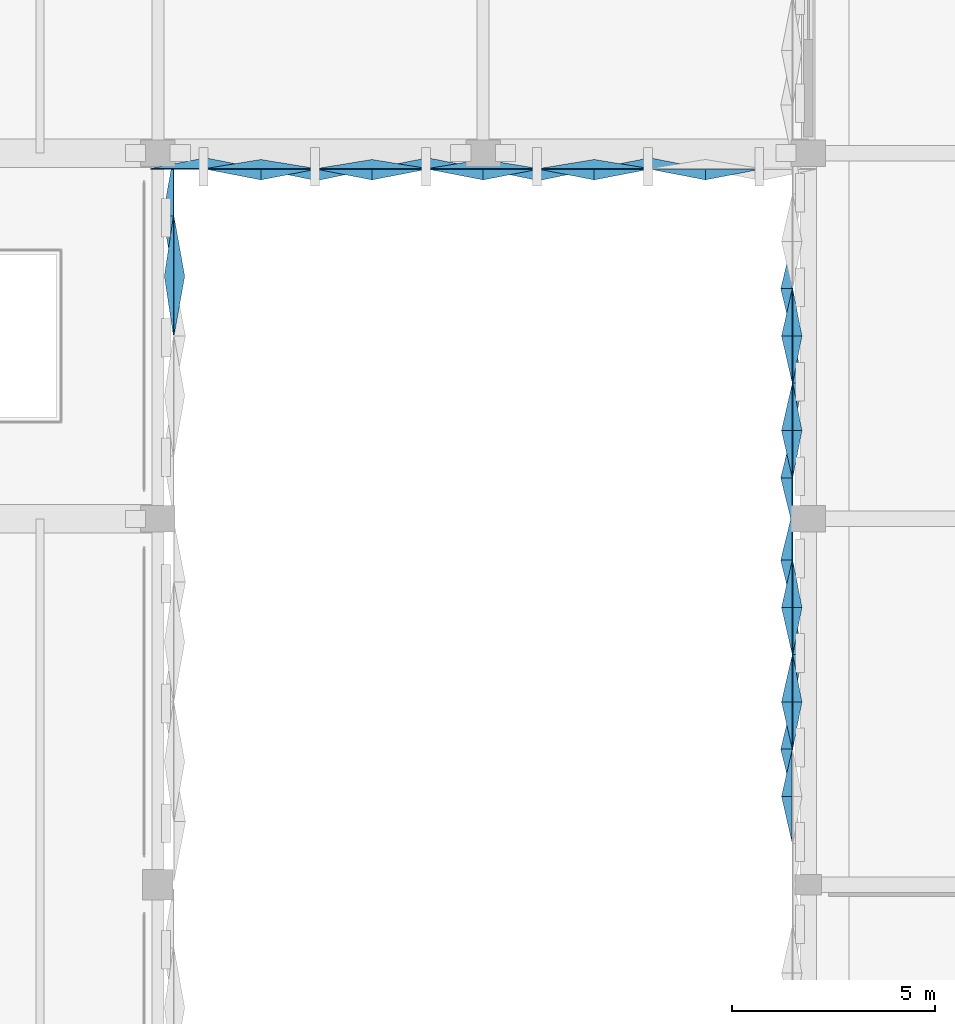
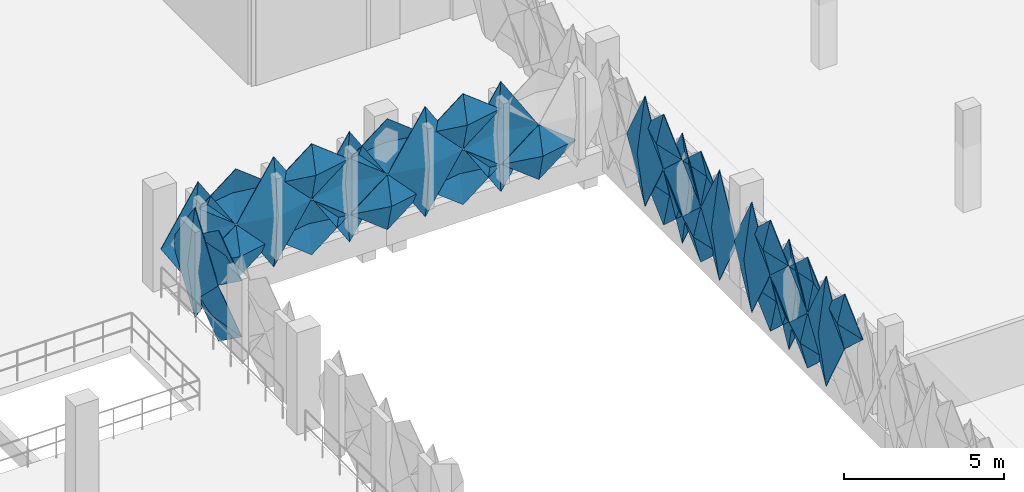
# One storey, part 64 of 83: 32 plates.
"""IFC4 building model written with IfcOpenShell, lengths in metres."""

from ifc_helpers import new_model, si_unit, derived_unit, direction, frame, origin, place, context, subcontext, project, spatial, polygons, material, layer, layer_set, type_object, element, save


model = new_model("IFC4")

# Units and contexts
model_context = context("Model", 3, precision=1e-05, world=origin(), true_north=direction((0.0, 1.0)))
body_context = subcontext(model_context, "Body", "Model", "MODEL_VIEW")
ifc_project = project(units=[si_unit("LENGTHUNIT", "METRE"), si_unit("AREAUNIT", "SQUARE_METRE"), si_unit("VOLUMEUNIT", "CUBIC_METRE"), si_unit("PLANEANGLEUNIT", "RADIAN"), si_unit("MASSUNIT", "GRAM", prefix="KILO"), si_unit("THERMODYNAMICTEMPERATUREUNIT", "KELVIN"), derived_unit("THERMALTRANSMITTANCEUNIT", [(si_unit("POWERUNIT", "WATT"), 1), (si_unit("AREAUNIT", "SQUARE_METRE"), -1), (si_unit("THERMODYNAMICTEMPERATUREUNIT", "KELVIN"), -1)])], contexts=[model_context])

# Site, building, storey
site_placement = place(None, origin())
site = spatial("IfcSite", under=ifc_project, at=site_placement, CompositionType="ELEMENT")
building_placement = place(site_placement, origin())
building = spatial("IfcBuilding", under=site, at=building_placement, Name="Haiyu Intermodal Mobility Hub", CompositionType="ELEMENT")
storey_placement = place(building_placement, frame((0.0, 0.0, 13.39990234375)))
storey = spatial("IfcBuildingStorey", under=building, at=storey_placement, Name="L03", CompositionType="ELEMENT", Elevation=13.39990234375)

# Plates
ifc_material = material(Name="Anodised aluminium 6063-T6", Category="aluminium")
ifc_layer_1 = layer(ifc_material, 0.01806640625)
ifc_layer_set_1 = layer_set([ifc_layer_1], Name="Anodised aluminium 6063-T6")
plate_type_1 = type_object("IfcPlateType", Name="PLT-FC01", PredefinedType="USERDEFINED", material=ifc_layer_set_1)
plate_1_placement = place(storey_placement, origin())
element("IfcPlate", 1, at=plate_1_placement, inside=storey, type_object=plate_type_1, Name="PLT-PYR-0703", ObjectType="FACADE CASSETTE", PredefinedType="USERDEFINED", context=body_context, shape_type="Tessellation", body=[
    polygons([(146.39990234375, 127.972900390625, 1.6201171875), (146.39990234375, 129.427001953125, 2.670166015625), (146.39990234375, 127.972900390625, 3.72021484375), (146.39990234375, 126.52001953125, 2.670166015625), (146.659912109375, 127.972900390625, 2.670166015625), (146.3779296875, 127.972900390625, 1.6201171875), (146.3779296875, 129.427001953125, 2.670166015625), (146.3779296875, 127.972900390625, 3.72021484375), (146.3779296875, 126.52001953125, 2.670166015625), (146.637939453125, 127.972900390625, 2.670166015625)], [[[1, 2, 5]], [[2, 3, 5]], [[3, 4, 5]], [[4, 1, 5]], [[7, 6, 10]], [[8, 7, 10]], [[9, 8, 10]], [[6, 9, 10]], [[1, 6, 7, 2]], [[2, 7, 8, 3]], [[3, 8, 9, 4]], [[4, 9, 6, 1]]], closed=True),
])
plate_2_placement = place(storey_placement, origin())
element("IfcPlate", 2, at=plate_2_placement, inside=storey, type_object=plate_type_1, Name="PLT-PYR-1957", ObjectType="FACADE CASSETTE", PredefinedType="USERDEFINED", context=body_context, shape_type="Tessellation", body=[
    polygons([(161.60009765625, 119.824951171875, 1.6201171875), (161.60009765625, 118.681884765625, 2.670166015625), (161.60009765625, 119.824951171875, 3.72021484375), (161.60009765625, 120.968017578125, 2.670166015625), (161.340087890625, 119.824951171875, 2.670166015625), (161.6220703125, 119.824951171875, 1.6201171875), (161.6220703125, 118.681884765625, 2.670166015625), (161.6220703125, 119.824951171875, 3.72021484375), (161.6220703125, 120.968017578125, 2.670166015625), (161.362060546875, 119.824951171875, 2.670166015625)], [[[1, 2, 5]], [[2, 3, 5]], [[3, 4, 5]], [[4, 1, 5]], [[7, 6, 10]], [[8, 7, 10]], [[9, 8, 10]], [[6, 9, 10]], [[1, 6, 7, 2]], [[2, 7, 8, 3]], [[3, 8, 9, 4]], [[4, 9, 6, 1]]], closed=True),
])
plate_3_placement = place(storey_placement, origin())
element("IfcPlate", 3, at=plate_3_placement, inside=storey, type_object=plate_type_1, Name="PLT-PYR-1963", ObjectType="FACADE CASSETTE", PredefinedType="USERDEFINED", context=body_context, shape_type="Tessellation", body=[
    polygons([(161.60009765625, 115.175048828125, 1.6201171875), (161.60009765625, 114.031982421875, 2.670166015625), (161.60009765625, 115.175048828125, 3.72021484375), (161.60009765625, 116.318115234375, 2.670166015625), (161.340087890625, 115.175048828125, 2.670166015625), (161.6220703125, 115.175048828125, 1.6201171875), (161.6220703125, 114.031982421875, 2.670166015625), (161.6220703125, 115.175048828125, 3.72021484375), (161.6220703125, 116.318115234375, 2.670166015625), (161.362060546875, 115.175048828125, 2.670166015625)], [[[1, 2, 5]], [[2, 3, 5]], [[3, 4, 5]], [[4, 1, 5]], [[7, 6, 10]], [[8, 7, 10]], [[9, 8, 10]], [[6, 9, 10]], [[1, 6, 7, 2]], [[2, 7, 8, 3]], [[3, 8, 9, 4]], [[4, 9, 6, 1]]], closed=True),
])
plate_4_placement = place(storey_placement, origin())
element("IfcPlate", 4, at=plate_4_placement, inside=storey, type_object=plate_type_1, Name="PLT-PYR-1968", ObjectType="FACADE CASSETTE", PredefinedType="USERDEFINED", context=body_context, shape_type="Tessellation", body=[
    polygons([(161.60009765625, 127.6630859375, -0.510009765625), (161.60009765625, 126.52001953125, 1.60009765625), (161.60009765625, 127.6630859375, 3.710205078125), (161.60009765625, 128.804931640625, 1.60009765625), (161.320068359375, 127.6630859375, 1.60009765625), (161.6220703125, 127.6630859375, -0.510009765625), (161.6220703125, 126.52001953125, 1.60009765625), (161.6220703125, 127.6630859375, 3.710205078125), (161.6220703125, 128.804931640625, 1.60009765625), (161.342041015625, 127.6630859375, 1.60009765625)], [[[1, 2, 5]], [[2, 3, 5]], [[3, 4, 5]], [[4, 1, 5]], [[7, 6, 10]], [[8, 7, 10]], [[9, 8, 10]], [[6, 9, 10]], [[1, 6, 7, 2]], [[2, 7, 8, 3]], [[3, 8, 9, 4]], [[4, 9, 6, 1]]], closed=True),
])
plate_5_placement = place(storey_placement, origin())
element("IfcPlate", 5, at=plate_5_placement, inside=storey, type_object=plate_type_1, Name="PLT-PYR-1970", ObjectType="FACADE CASSETTE", PredefinedType="USERDEFINED", context=body_context, shape_type="Tessellation", body=[
    polygons([(161.60009765625, 126.5, 1.6201171875), (161.60009765625, 125.35791015625, 2.670166015625), (161.60009765625, 126.5, 3.72021484375), (161.60009765625, 127.64306640625, 2.670166015625), (161.340087890625, 126.5, 2.670166015625), (161.6220703125, 126.5, 1.6201171875), (161.6220703125, 125.35791015625, 2.670166015625), (161.6220703125, 126.5, 3.72021484375), (161.6220703125, 127.64306640625, 2.670166015625), (161.362060546875, 126.5, 2.670166015625)], [[[1, 2, 5]], [[2, 3, 5]], [[3, 4, 5]], [[4, 1, 5]], [[7, 6, 10]], [[8, 7, 10]], [[9, 8, 10]], [[6, 9, 10]], [[1, 6, 7, 2]], [[2, 7, 8, 3]], [[3, 8, 9, 4]], [[4, 9, 6, 1]]], closed=True),
])
plate_6_placement = place(storey_placement, origin())
element("IfcPlate", 6, at=plate_6_placement, inside=storey, type_object=plate_type_1, Name="PLT-PYR-2374", ObjectType="FACADE CASSETTE", PredefinedType="USERDEFINED", context=body_context, shape_type="Tessellation", body=[
    polygons([(149.89990234375, 130.60009765625, -0.510009765625), (151.2470703125, 130.60009765625, 1.60009765625), (149.89990234375, 130.60009765625, 3.710205078125), (148.552978515625, 130.60009765625, 1.60009765625), (149.89990234375, 130.320068359375, 1.60009765625), (149.89990234375, 130.6220703125, -0.510009765625), (151.2470703125, 130.6220703125, 1.60009765625), (149.89990234375, 130.6220703125, 3.710205078125), (148.552978515625, 130.6220703125, 1.60009765625), (149.89990234375, 130.342041015625, 1.60009765625)], [[[1, 2, 5]], [[2, 3, 5]], [[3, 4, 5]], [[4, 1, 5]], [[7, 6, 10]], [[8, 7, 10]], [[9, 8, 10]], [[6, 9, 10]], [[1, 6, 7, 2]], [[2, 7, 8, 3]], [[3, 8, 9, 4]], [[4, 9, 6, 1]]], closed=True),
])
plate_7_placement = place(storey_placement, origin())
element("IfcPlate", 7, at=plate_7_placement, inside=storey, type_object=plate_type_1, Name="PLT-PYR-2376", ObjectType="FACADE CASSETTE", PredefinedType="USERDEFINED", context=body_context, shape_type="Tessellation", body=[
    polygons([(151.26708984375, 130.60009765625, 1.6201171875), (152.613037109375, 130.60009765625, 2.670166015625), (151.26708984375, 130.60009765625, 3.72021484375), (149.919921875, 130.60009765625, 2.670166015625), (151.26708984375, 130.340087890625, 2.670166015625), (151.26708984375, 130.6220703125, 1.6201171875), (152.613037109375, 130.6220703125, 2.670166015625), (151.26708984375, 130.6220703125, 3.72021484375), (149.919921875, 130.6220703125, 2.670166015625), (151.26708984375, 130.362060546875, 2.670166015625)], [[[1, 2, 5]], [[2, 3, 5]], [[3, 4, 5]], [[4, 1, 5]], [[7, 6, 10]], [[8, 7, 10]], [[9, 8, 10]], [[6, 9, 10]], [[1, 6, 7, 2]], [[2, 7, 8, 3]], [[3, 8, 9, 4]], [[4, 9, 6, 1]]], closed=True),
])
plate_8_placement = place(storey_placement, origin())
element("IfcPlate", 8, at=plate_8_placement, inside=storey, type_object=plate_type_1, Name="PLT-PYR-2382", ObjectType="FACADE CASSETTE", PredefinedType="USERDEFINED", context=body_context, shape_type="Tessellation", body=[
    polygons([(156.73291015625, 130.60009765625, 1.6201171875), (158.080078125, 130.60009765625, 2.670166015625), (156.73291015625, 130.60009765625, 3.72021484375), (155.386962890625, 130.60009765625, 2.670166015625), (156.73291015625, 130.340087890625, 2.670166015625), (156.73291015625, 130.6220703125, 1.6201171875), (158.080078125, 130.6220703125, 2.670166015625), (156.73291015625, 130.6220703125, 3.72021484375), (155.386962890625, 130.6220703125, 2.670166015625), (156.73291015625, 130.362060546875, 2.670166015625)], [[[1, 2, 5]], [[2, 3, 5]], [[3, 4, 5]], [[4, 1, 5]], [[7, 6, 10]], [[8, 7, 10]], [[9, 8, 10]], [[6, 9, 10]], [[1, 6, 7, 2]], [[2, 7, 8, 3]], [[3, 8, 9, 4]], [[4, 9, 6, 1]]], closed=True),
])
ifc_layer_2 = layer(ifc_material, 0.02001953125)
ifc_layer_set_2 = layer_set([ifc_layer_2], Name="Anodised aluminium 6063-T6")
plate_type_2 = type_object("IfcPlateType", Name="PLT-FC02", PredefinedType="USERDEFINED", material=ifc_layer_set_2)
plate_9_placement = place(storey_placement, origin())
element("IfcPlate", 9, at=plate_9_placement, inside=storey, type_object=plate_type_2, Name="PLT-PYR-1958", ObjectType="FACADE CASSETTE", PredefinedType="USERDEFINED", context=body_context, shape_type="Tessellation", body=[
    polygons([(161.60009765625, 118.6630859375, -0.510009765625), (161.60009765625, 117.52001953125, 1.60009765625), (161.60009765625, 118.6630859375, 3.710205078125), (161.60009765625, 119.804931640625, 1.60009765625), (161.860107421875, 118.6630859375, 1.60009765625), (161.6220703125, 118.6630859375, -0.510009765625), (161.6220703125, 117.52001953125, 1.60009765625), (161.6220703125, 118.6630859375, 3.710205078125), (161.6220703125, 119.804931640625, 1.60009765625), (161.882080078125, 118.6630859375, 1.60009765625)], [[[1, 2, 5]], [[2, 3, 5]], [[3, 4, 5]], [[4, 1, 5]], [[7, 6, 10]], [[8, 7, 10]], [[9, 8, 10]], [[6, 9, 10]], [[1, 6, 7, 2]], [[2, 7, 8, 3]], [[3, 8, 9, 4]], [[4, 9, 6, 1]]], closed=True),
])
plate_10_placement = place(storey_placement, origin())
element("IfcPlate", 10, at=plate_10_placement, inside=storey, type_object=plate_type_2, Name="PLT-PYR-1960", ObjectType="FACADE CASSETTE", PredefinedType="USERDEFINED", context=body_context, shape_type="Tessellation", body=[
    polygons([(161.60009765625, 117.5, 1.6201171875), (161.60009765625, 116.35791015625, 2.670166015625), (161.60009765625, 117.5, 3.72021484375), (161.60009765625, 118.64306640625, 2.670166015625), (161.820068359375, 117.5, 2.670166015625), (161.6220703125, 117.5, 1.6201171875), (161.6220703125, 116.35791015625, 2.670166015625), (161.6220703125, 117.5, 3.72021484375), (161.6220703125, 118.64306640625, 2.670166015625), (161.842041015625, 117.5, 2.670166015625)], [[[1, 2, 5]], [[2, 3, 5]], [[3, 4, 5]], [[4, 1, 5]], [[7, 6, 10]], [[8, 7, 10]], [[9, 8, 10]], [[6, 9, 10]], [[1, 6, 7, 2]], [[2, 7, 8, 3]], [[3, 8, 9, 4]], [[4, 9, 6, 1]]], closed=True),
])
plate_11_placement = place(storey_placement, origin())
element("IfcPlate", 11, at=plate_11_placement, inside=storey, type_object=plate_type_2, Name="PLT-PYR-1973", ObjectType="FACADE CASSETTE", PredefinedType="USERDEFINED", context=body_context, shape_type="Tessellation", body=[
    polygons([(161.60009765625, 124.175048828125, 1.6201171875), (161.60009765625, 123.031982421875, 2.670166015625), (161.60009765625, 124.175048828125, 3.72021484375), (161.60009765625, 125.318115234375, 2.670166015625), (161.820068359375, 124.175048828125, 2.670166015625), (161.6220703125, 124.175048828125, 1.6201171875), (161.6220703125, 123.031982421875, 2.670166015625), (161.6220703125, 124.175048828125, 3.72021484375), (161.6220703125, 125.318115234375, 2.670166015625), (161.842041015625, 124.175048828125, 2.670166015625)], [[[1, 2, 5]], [[2, 3, 5]], [[3, 4, 5]], [[4, 1, 5]], [[7, 6, 10]], [[8, 7, 10]], [[9, 8, 10]], [[6, 9, 10]], [[1, 6, 7, 2]], [[2, 7, 8, 3]], [[3, 8, 9, 4]], [[4, 9, 6, 1]]], closed=True),
])
plate_12_placement = place(storey_placement, origin())
element("IfcPlate", 12, at=plate_12_placement, inside=storey, type_object=plate_type_2, Name="PLT-PYR-2373", ObjectType="FACADE CASSETTE", PredefinedType="USERDEFINED", context=body_context, shape_type="Tessellation", body=[
    polygons([(148.532958984375, 130.60009765625, 1.6201171875), (149.8798828125, 130.60009765625, 2.670166015625), (148.532958984375, 130.60009765625, 3.72021484375), (147.18701171875, 130.60009765625, 2.670166015625), (148.532958984375, 130.820068359375, 2.670166015625), (148.532958984375, 130.6220703125, 1.6201171875), (149.8798828125, 130.6220703125, 2.670166015625), (148.532958984375, 130.6220703125, 3.72021484375), (147.18701171875, 130.6220703125, 2.670166015625), (148.532958984375, 130.842041015625, 2.670166015625)], [[[1, 2, 5]], [[2, 3, 5]], [[3, 4, 5]], [[4, 1, 5]], [[7, 6, 10]], [[8, 7, 10]], [[9, 8, 10]], [[6, 9, 10]], [[1, 6, 7, 2]], [[2, 7, 8, 3]], [[3, 8, 9, 4]], [[4, 9, 6, 1]]], closed=True),
])
plate_13_placement = place(storey_placement, origin())
element("IfcPlate", 13, at=plate_13_placement, inside=storey, type_object=plate_type_2, Name="PLT-PYR-2379", ObjectType="FACADE CASSETTE", PredefinedType="USERDEFINED", context=body_context, shape_type="Tessellation", body=[
    polygons([(154.0, 130.60009765625, 1.6201171875), (155.346923828125, 130.60009765625, 2.670166015625), (154.0, 130.60009765625, 3.72021484375), (152.653076171875, 130.60009765625, 2.670166015625), (154.0, 130.820068359375, 2.670166015625), (154.0, 130.6220703125, 1.6201171875), (155.346923828125, 130.6220703125, 2.670166015625), (154.0, 130.6220703125, 3.72021484375), (152.653076171875, 130.6220703125, 2.670166015625), (154.0, 130.842041015625, 2.670166015625)], [[[1, 2, 5]], [[2, 3, 5]], [[3, 4, 5]], [[4, 1, 5]], [[7, 6, 10]], [[8, 7, 10]], [[9, 8, 10]], [[6, 9, 10]], [[1, 6, 7, 2]], [[2, 7, 8, 3]], [[3, 8, 9, 4]], [[4, 9, 6, 1]]], closed=True),
])
ifc_layer_3 = layer(ifc_material, 0.01806640625)
ifc_layer_set_3 = layer_set([ifc_layer_3], Name="Anodised aluminium 6063-T6")
plate_type_3 = type_object("IfcPlateType", Name="PLT-FC03", PredefinedType="USERDEFINED", material=ifc_layer_set_3)
plate_14_placement = place(storey_placement, origin())
element("IfcPlate", 14, at=plate_14_placement, inside=storey, type_object=plate_type_3, Name="PLT-PYR-1961", ObjectType="FACADE CASSETTE", PredefinedType="USERDEFINED", context=body_context, shape_type="Tessellation", body=[
    polygons([(161.60009765625, 116.337890625, -0.510009765625), (161.60009765625, 115.195068359375, 1.60009765625), (161.60009765625, 116.337890625, 3.710205078125), (161.60009765625, 117.47998046875, 1.60009765625), (161.320068359375, 116.337890625, 1.60009765625), (161.6220703125, 116.337890625, -0.510009765625), (161.6220703125, 115.195068359375, 1.60009765625), (161.6220703125, 116.337890625, 3.710205078125), (161.6220703125, 117.47998046875, 1.60009765625), (161.342041015625, 116.337890625, 1.60009765625)], [[[1, 2, 5]], [[2, 3, 5]], [[3, 4, 5]], [[4, 1, 5]], [[7, 6, 10]], [[8, 7, 10]], [[9, 8, 10]], [[6, 9, 10]], [[1, 6, 7, 2]], [[2, 7, 8, 3]], [[3, 8, 9, 4]], [[4, 9, 6, 1]]], closed=True),
])
ifc_layer_4 = layer(ifc_material, 0.02001953125)
ifc_layer_set_4 = layer_set([ifc_layer_4], Name="Anodised aluminium 6063-T6")
plate_type_4 = type_object("IfcPlateType", Name="PLT-FC04", PredefinedType="USERDEFINED", material=ifc_layer_set_4)
plate_15_placement = place(storey_placement, origin())
element("IfcPlate", 15, at=plate_15_placement, inside=storey, type_object=plate_type_4, Name="PLT-PYR-0704", ObjectType="FACADE CASSETTE", PredefinedType="USERDEFINED", context=body_context, shape_type="Tessellation", body=[
    polygons([(146.39990234375, 129.447021484375, -0.510009765625), (146.39990234375, 130.89990234375, 1.60009765625), (146.39990234375, 129.447021484375, 3.710205078125), (146.39990234375, 127.992919921875, 1.60009765625), (146.139892578125, 129.447021484375, 1.60009765625), (146.3779296875, 129.447021484375, -0.510009765625), (146.3779296875, 130.89990234375, 1.60009765625), (146.3779296875, 129.447021484375, 3.710205078125), (146.3779296875, 127.992919921875, 1.60009765625), (146.117919921875, 129.447021484375, 1.60009765625)], [[[1, 2, 5]], [[2, 3, 5]], [[3, 4, 5]], [[4, 1, 5]], [[7, 6, 10]], [[8, 7, 10]], [[9, 8, 10]], [[6, 9, 10]], [[1, 6, 7, 2]], [[2, 7, 8, 3]], [[3, 8, 9, 4]], [[4, 9, 6, 1]]], closed=True),
])
plate_16_placement = place(storey_placement, origin())
element("IfcPlate", 16, at=plate_16_placement, inside=storey, type_object=plate_type_4, Name="PLT-PYR-1971", ObjectType="FACADE CASSETTE", PredefinedType="USERDEFINED", context=body_context, shape_type="Tessellation", body=[
    polygons([(161.60009765625, 125.337890625, -0.510009765625), (161.60009765625, 124.195068359375, 1.60009765625), (161.60009765625, 125.337890625, 3.710205078125), (161.60009765625, 126.47998046875, 1.60009765625), (161.860107421875, 125.337890625, 1.60009765625), (161.6220703125, 125.337890625, -0.510009765625), (161.6220703125, 124.195068359375, 1.60009765625), (161.6220703125, 125.337890625, 3.710205078125), (161.6220703125, 126.47998046875, 1.60009765625), (161.882080078125, 125.337890625, 1.60009765625)], [[[1, 2, 5]], [[2, 3, 5]], [[3, 4, 5]], [[4, 1, 5]], [[7, 6, 10]], [[8, 7, 10]], [[9, 8, 10]], [[6, 9, 10]], [[1, 6, 7, 2]], [[2, 7, 8, 3]], [[3, 8, 9, 4]], [[4, 9, 6, 1]]], closed=True),
])
plate_17_placement = place(storey_placement, origin())
element("IfcPlate", 17, at=plate_17_placement, inside=storey, type_object=plate_type_4, Name="PLT-PYR-2377", ObjectType="FACADE CASSETTE", PredefinedType="USERDEFINED", context=body_context, shape_type="Tessellation", body=[
    polygons([(152.633056640625, 130.60009765625, -0.510009765625), (153.97998046875, 130.60009765625, 1.60009765625), (152.633056640625, 130.60009765625, 3.710205078125), (151.287109375, 130.60009765625, 1.60009765625), (152.633056640625, 130.860107421875, 1.60009765625), (152.633056640625, 130.6220703125, -0.510009765625), (153.97998046875, 130.6220703125, 1.60009765625), (152.633056640625, 130.6220703125, 3.710205078125), (151.287109375, 130.6220703125, 1.60009765625), (152.633056640625, 130.882080078125, 1.60009765625)], [[[1, 2, 5]], [[2, 3, 5]], [[3, 4, 5]], [[4, 1, 5]], [[7, 6, 10]], [[8, 7, 10]], [[9, 8, 10]], [[6, 9, 10]], [[1, 6, 7, 2]], [[2, 7, 8, 3]], [[3, 8, 9, 4]], [[4, 9, 6, 1]]], closed=True),
])
ifc_layer_5 = layer(ifc_material, 0.01806640625)
ifc_layer_set_5 = layer_set([ifc_layer_5], Name="Anodised aluminium 6063-T6")
plate_type_5 = type_object("IfcPlateType", Name="PLT-FC05", PredefinedType="USERDEFINED", material=ifc_layer_set_5)
plate_18_placement = place(storey_placement, origin())
element("IfcPlate", 18, at=plate_18_placement, inside=storey, type_object=plate_type_5, Name="PLT-PYR-1974", ObjectType="FACADE CASSETTE", PredefinedType="USERDEFINED", context=body_context, shape_type="Tessellation", body=[
    polygons([(161.60009765625, 123.011962890625, -0.510009765625), (161.60009765625, 121.8701171875, 1.60009765625), (161.60009765625, 123.011962890625, 3.710205078125), (161.60009765625, 124.155029296875, 1.60009765625), (161.320068359375, 123.011962890625, 1.60009765625), (161.6220703125, 123.011962890625, -0.510009765625), (161.6220703125, 121.8701171875, 1.60009765625), (161.6220703125, 123.011962890625, 3.710205078125), (161.6220703125, 124.155029296875, 1.60009765625), (161.342041015625, 123.011962890625, 1.60009765625)], [[[1, 2, 5]], [[2, 3, 5]], [[3, 4, 5]], [[4, 1, 5]], [[7, 6, 10]], [[8, 7, 10]], [[9, 8, 10]], [[6, 9, 10]], [[1, 6, 7, 2]], [[2, 7, 8, 3]], [[3, 8, 9, 4]], [[4, 9, 6, 1]]], closed=True),
])
plate_19_placement = place(storey_placement, origin())
element("IfcPlate", 19, at=plate_19_placement, inside=storey, type_object=plate_type_5, Name="PLT-PYR-2380", ObjectType="FACADE CASSETTE", PredefinedType="USERDEFINED", context=body_context, shape_type="Tessellation", body=[
    polygons([(155.366943359375, 130.60009765625, -0.510009765625), (156.712890625, 130.60009765625, 1.60009765625), (155.366943359375, 130.60009765625, 3.710205078125), (154.02001953125, 130.60009765625, 1.60009765625), (155.366943359375, 130.320068359375, 1.60009765625), (155.366943359375, 130.6220703125, -0.510009765625), (156.712890625, 130.6220703125, 1.60009765625), (155.366943359375, 130.6220703125, 3.710205078125), (154.02001953125, 130.6220703125, 1.60009765625), (155.366943359375, 130.342041015625, 1.60009765625)], [[[1, 2, 5]], [[2, 3, 5]], [[3, 4, 5]], [[4, 1, 5]], [[7, 6, 10]], [[8, 7, 10]], [[9, 8, 10]], [[6, 9, 10]], [[1, 6, 7, 2]], [[2, 7, 8, 3]], [[3, 8, 9, 4]], [[4, 9, 6, 1]]], closed=True),
])
ifc_layer_6 = layer(ifc_material, 0.02197265625)
ifc_layer_set_6 = layer_set([ifc_layer_6], Name="Anodised aluminium 6063-T6")
plate_type_6 = type_object("IfcPlateType", Name="PLT-FC07", PredefinedType="USERDEFINED", material=ifc_layer_set_6)
plate_20_placement = place(storey_placement, origin())
element("IfcPlate", 20, at=plate_20_placement, inside=storey, type_object=plate_type_6, Name="PLT-PYR-1955", ObjectType="FACADE CASSETTE", PredefinedType="USERDEFINED", context=body_context, shape_type="Tessellation", body=[
    polygons([(161.60009765625, 120.988037109375, -0.510009765625), (161.60009765625, 119.844970703125, 1.60009765625), (161.60009765625, 120.988037109375, 3.710205078125), (161.60009765625, 122.1298828125, 1.60009765625), (161.320068359375, 120.988037109375, 1.60009765625), (161.6220703125, 120.988037109375, -0.510009765625), (161.6220703125, 119.844970703125, 1.60009765625), (161.6220703125, 120.988037109375, 3.710205078125), (161.6220703125, 122.1298828125, 1.60009765625), (161.342041015625, 120.988037109375, 1.60009765625)], [[[1, 2, 5]], [[2, 3, 5]], [[3, 4, 5]], [[4, 1, 5]], [[7, 6, 10]], [[8, 7, 10]], [[9, 8, 10]], [[6, 9, 10]], [[1, 6, 7, 2]], [[2, 7, 8, 3]], [[3, 8, 9, 4]], [[4, 9, 6, 1]]], closed=True),
])
plate_21_placement = place(storey_placement, origin())
element("IfcPlate", 21, at=plate_21_placement, inside=storey, type_object=plate_type_6, Name="PLT-PYR-1959", ObjectType="FACADE CASSETTE", PredefinedType="USERDEFINED", context=body_context, shape_type="Tessellation", body=[
    polygons([(161.60009765625, 117.5, -0.52001953125), (161.60009765625, 116.35791015625, 0.530029296875), (161.60009765625, 117.5, 1.580078125), (161.60009765625, 118.64306640625, 0.530029296875), (161.340087890625, 117.5, 0.530029296875), (161.6220703125, 117.5, -0.52001953125), (161.6220703125, 116.35791015625, 0.530029296875), (161.6220703125, 117.5, 1.580078125), (161.6220703125, 118.64306640625, 0.530029296875), (161.362060546875, 117.5, 0.530029296875)], [[[1, 2, 5]], [[2, 3, 5]], [[3, 4, 5]], [[4, 1, 5]], [[7, 6, 10]], [[8, 7, 10]], [[9, 8, 10]], [[6, 9, 10]], [[1, 6, 7, 2]], [[2, 7, 8, 3]], [[3, 8, 9, 4]], [[4, 9, 6, 1]]], closed=True),
])
plate_22_placement = place(storey_placement, origin())
element("IfcPlate", 22, at=plate_22_placement, inside=storey, type_object=plate_type_6, Name="PLT-PYR-1972", ObjectType="FACADE CASSETTE", PredefinedType="USERDEFINED", context=body_context, shape_type="Tessellation", body=[
    polygons([(161.60009765625, 124.175048828125, -0.52001953125), (161.60009765625, 123.031982421875, 0.530029296875), (161.60009765625, 124.175048828125, 1.580078125), (161.60009765625, 125.318115234375, 0.530029296875), (161.340087890625, 124.175048828125, 0.530029296875), (161.6220703125, 124.175048828125, -0.52001953125), (161.6220703125, 123.031982421875, 0.530029296875), (161.6220703125, 124.175048828125, 1.580078125), (161.6220703125, 125.318115234375, 0.530029296875), (161.362060546875, 124.175048828125, 0.530029296875)], [[[1, 2, 5]], [[2, 3, 5]], [[3, 4, 5]], [[4, 1, 5]], [[7, 6, 10]], [[8, 7, 10]], [[9, 8, 10]], [[6, 9, 10]], [[1, 6, 7, 2]], [[2, 7, 8, 3]], [[3, 8, 9, 4]], [[4, 9, 6, 1]]], closed=True),
])
plate_23_placement = place(storey_placement, origin())
element("IfcPlate", 23, at=plate_23_placement, inside=storey, type_object=plate_type_6, Name="PLT-PYR-2372", ObjectType="FACADE CASSETTE", PredefinedType="USERDEFINED", context=body_context, shape_type="Tessellation", body=[
    polygons([(148.532958984375, 130.60009765625, -0.52001953125), (149.8798828125, 130.60009765625, 0.530029296875), (148.532958984375, 130.60009765625, 1.580078125), (147.18701171875, 130.60009765625, 0.530029296875), (148.532958984375, 130.340087890625, 0.530029296875), (148.532958984375, 130.6220703125, -0.52001953125), (149.8798828125, 130.6220703125, 0.530029296875), (148.532958984375, 130.6220703125, 1.580078125), (147.18701171875, 130.6220703125, 0.530029296875), (148.532958984375, 130.362060546875, 0.530029296875)], [[[1, 2, 5]], [[2, 3, 5]], [[3, 4, 5]], [[4, 1, 5]], [[7, 6, 10]], [[8, 7, 10]], [[9, 8, 10]], [[6, 9, 10]], [[1, 6, 7, 2]], [[2, 7, 8, 3]], [[3, 8, 9, 4]], [[4, 9, 6, 1]]], closed=True),
])
plate_24_placement = place(storey_placement, origin())
element("IfcPlate", 24, at=plate_24_placement, inside=storey, type_object=plate_type_6, Name="PLT-PYR-2378", ObjectType="FACADE CASSETTE", PredefinedType="USERDEFINED", context=body_context, shape_type="Tessellation", body=[
    polygons([(154.0, 130.60009765625, -0.52001953125), (155.346923828125, 130.60009765625, 0.530029296875), (154.0, 130.60009765625, 1.580078125), (152.653076171875, 130.60009765625, 0.530029296875), (154.0, 130.340087890625, 0.530029296875), (154.0, 130.6220703125, -0.52001953125), (155.346923828125, 130.6220703125, 0.530029296875), (154.0, 130.6220703125, 1.580078125), (152.653076171875, 130.6220703125, 0.530029296875), (154.0, 130.362060546875, 0.530029296875)], [[[1, 2, 5]], [[2, 3, 5]], [[3, 4, 5]], [[4, 1, 5]], [[7, 6, 10]], [[8, 7, 10]], [[9, 8, 10]], [[6, 9, 10]], [[1, 6, 7, 2]], [[2, 7, 8, 3]], [[3, 8, 9, 4]], [[4, 9, 6, 1]]], closed=True),
])
plate_25_placement = place(storey_placement, origin())
element("IfcPlate", 25, at=plate_25_placement, inside=storey, type_object=plate_type_6, Name="PLT-PYR-2384", ObjectType="FACADE CASSETTE", PredefinedType="USERDEFINED", context=body_context, shape_type="Tessellation", body=[
    polygons([(159.467041015625, 130.60009765625, -0.52001953125), (160.81298828125, 130.60009765625, 0.530029296875), (159.467041015625, 130.60009765625, 1.580078125), (158.1201171875, 130.60009765625, 0.530029296875), (159.467041015625, 130.340087890625, 0.530029296875), (159.467041015625, 130.6220703125, -0.52001953125), (160.81298828125, 130.6220703125, 0.530029296875), (159.467041015625, 130.6220703125, 1.580078125), (158.1201171875, 130.6220703125, 0.530029296875), (159.467041015625, 130.362060546875, 0.530029296875)], [[[1, 2, 5]], [[2, 3, 5]], [[3, 4, 5]], [[4, 1, 5]], [[7, 6, 10]], [[8, 7, 10]], [[9, 8, 10]], [[6, 9, 10]], [[1, 6, 7, 2]], [[2, 7, 8, 3]], [[3, 8, 9, 4]], [[4, 9, 6, 1]]], closed=True),
])
ifc_layer_7 = layer(ifc_material, 0.02392578125)
ifc_layer_set_7 = layer_set([ifc_layer_7], Name="Anodised aluminium 6063-T6")
plate_type_7 = type_object("IfcPlateType", Name="PLT-FC08", PredefinedType="USERDEFINED", material=ifc_layer_set_7)
plate_26_placement = place(storey_placement, origin())
element("IfcPlate", 26, at=plate_26_placement, inside=storey, type_object=plate_type_7, Name="PLT-PYR-0702", ObjectType="FACADE CASSETTE", PredefinedType="USERDEFINED", context=body_context, shape_type="Tessellation", body=[
    polygons([(146.39990234375, 127.972900390625, -0.52001953125), (146.39990234375, 129.427001953125, 0.530029296875), (146.39990234375, 127.972900390625, 1.580078125), (146.39990234375, 126.52001953125, 0.530029296875), (146.179931640625, 127.972900390625, 0.530029296875), (146.3779296875, 127.972900390625, -0.52001953125), (146.3779296875, 129.427001953125, 0.530029296875), (146.3779296875, 127.972900390625, 1.580078125), (146.3779296875, 126.52001953125, 0.530029296875), (146.157958984375, 127.972900390625, 0.530029296875)], [[[1, 2, 5]], [[2, 3, 5]], [[3, 4, 5]], [[4, 1, 5]], [[7, 6, 10]], [[8, 7, 10]], [[9, 8, 10]], [[6, 9, 10]], [[1, 6, 7, 2]], [[2, 7, 8, 3]], [[3, 8, 9, 4]], [[4, 9, 6, 1]]], closed=True),
])
plate_27_placement = place(storey_placement, origin())
element("IfcPlate", 27, at=plate_27_placement, inside=storey, type_object=plate_type_7, Name="PLT-PYR-1956", ObjectType="FACADE CASSETTE", PredefinedType="USERDEFINED", context=body_context, shape_type="Tessellation", body=[
    polygons([(161.60009765625, 119.824951171875, -0.52001953125), (161.60009765625, 118.681884765625, 0.530029296875), (161.60009765625, 119.824951171875, 1.580078125), (161.60009765625, 120.968017578125, 0.530029296875), (161.820068359375, 119.824951171875, 0.530029296875), (161.6220703125, 119.824951171875, -0.52001953125), (161.6220703125, 118.681884765625, 0.530029296875), (161.6220703125, 119.824951171875, 1.580078125), (161.6220703125, 120.968017578125, 0.530029296875), (161.842041015625, 119.824951171875, 0.530029296875)], [[[1, 2, 5]], [[2, 3, 5]], [[3, 4, 5]], [[4, 1, 5]], [[7, 6, 10]], [[8, 7, 10]], [[9, 8, 10]], [[6, 9, 10]], [[1, 6, 7, 2]], [[2, 7, 8, 3]], [[3, 8, 9, 4]], [[4, 9, 6, 1]]], closed=True),
])
plate_28_placement = place(storey_placement, origin())
element("IfcPlate", 28, at=plate_28_placement, inside=storey, type_object=plate_type_7, Name="PLT-PYR-1969", ObjectType="FACADE CASSETTE", PredefinedType="USERDEFINED", context=body_context, shape_type="Tessellation", body=[
    polygons([(161.60009765625, 126.5, -0.52001953125), (161.60009765625, 125.35791015625, 0.530029296875), (161.60009765625, 126.5, 1.580078125), (161.60009765625, 127.64306640625, 0.530029296875), (161.820068359375, 126.5, 0.530029296875), (161.6220703125, 126.5, -0.52001953125), (161.6220703125, 125.35791015625, 0.530029296875), (161.6220703125, 126.5, 1.580078125), (161.6220703125, 127.64306640625, 0.530029296875), (161.842041015625, 126.5, 0.530029296875)], [[[1, 2, 5]], [[2, 3, 5]], [[3, 4, 5]], [[4, 1, 5]], [[7, 6, 10]], [[8, 7, 10]], [[9, 8, 10]], [[6, 9, 10]], [[1, 6, 7, 2]], [[2, 7, 8, 3]], [[3, 8, 9, 4]], [[4, 9, 6, 1]]], closed=True),
])
plate_29_placement = place(storey_placement, origin())
element("IfcPlate", 29, at=plate_29_placement, inside=storey, type_object=plate_type_7, Name="PLT-PYR-2371", ObjectType="FACADE CASSETTE", PredefinedType="USERDEFINED", context=body_context, shape_type="Tessellation", body=[
    polygons([(147.1669921875, 130.60009765625, -0.510009765625), (148.512939453125, 130.60009765625, 1.60009765625), (147.1669921875, 130.60009765625, 3.710205078125), (145.820068359375, 130.60009765625, 1.60009765625), (147.1669921875, 130.860107421875, 1.60009765625), (147.1669921875, 130.6220703125, -0.510009765625), (148.512939453125, 130.6220703125, 1.60009765625), (147.1669921875, 130.6220703125, 3.710205078125), (145.820068359375, 130.6220703125, 1.60009765625), (147.1669921875, 130.882080078125, 1.60009765625)], [[[1, 2, 5]], [[2, 3, 5]], [[3, 4, 5]], [[4, 1, 5]], [[7, 6, 10]], [[8, 7, 10]], [[9, 8, 10]], [[6, 9, 10]], [[1, 6, 7, 2]], [[2, 7, 8, 3]], [[3, 8, 9, 4]], [[4, 9, 6, 1]]], closed=True),
])
plate_30_placement = place(storey_placement, origin())
element("IfcPlate", 30, at=plate_30_placement, inside=storey, type_object=plate_type_7, Name="PLT-PYR-2375", ObjectType="FACADE CASSETTE", PredefinedType="USERDEFINED", context=body_context, shape_type="Tessellation", body=[
    polygons([(151.26708984375, 130.60009765625, -0.52001953125), (152.613037109375, 130.60009765625, 0.530029296875), (151.26708984375, 130.60009765625, 1.580078125), (149.919921875, 130.60009765625, 0.530029296875), (151.26708984375, 130.820068359375, 0.530029296875), (151.26708984375, 130.6220703125, -0.52001953125), (152.613037109375, 130.6220703125, 0.530029296875), (151.26708984375, 130.6220703125, 1.580078125), (149.919921875, 130.6220703125, 0.530029296875), (151.26708984375, 130.842041015625, 0.530029296875)], [[[1, 2, 5]], [[2, 3, 5]], [[3, 4, 5]], [[4, 1, 5]], [[7, 6, 10]], [[8, 7, 10]], [[9, 8, 10]], [[6, 9, 10]], [[1, 6, 7, 2]], [[2, 7, 8, 3]], [[3, 8, 9, 4]], [[4, 9, 6, 1]]], closed=True),
])
plate_31_placement = place(storey_placement, origin())
element("IfcPlate", 31, at=plate_31_placement, inside=storey, type_object=plate_type_7, Name="PLT-PYR-2381", ObjectType="FACADE CASSETTE", PredefinedType="USERDEFINED", context=body_context, shape_type="Tessellation", body=[
    polygons([(156.73291015625, 130.60009765625, -0.52001953125), (158.080078125, 130.60009765625, 0.530029296875), (156.73291015625, 130.60009765625, 1.580078125), (155.386962890625, 130.60009765625, 0.530029296875), (156.73291015625, 130.820068359375, 0.530029296875), (156.73291015625, 130.6220703125, -0.52001953125), (158.080078125, 130.6220703125, 0.530029296875), (156.73291015625, 130.6220703125, 1.580078125), (155.386962890625, 130.6220703125, 0.530029296875), (156.73291015625, 130.842041015625, 0.530029296875)], [[[1, 2, 5]], [[2, 3, 5]], [[3, 4, 5]], [[4, 1, 5]], [[7, 6, 10]], [[8, 7, 10]], [[9, 8, 10]], [[6, 9, 10]], [[1, 6, 7, 2]], [[2, 7, 8, 3]], [[3, 8, 9, 4]], [[4, 9, 6, 1]]], closed=True),
])
plate_32_placement = place(storey_placement, origin())
element("IfcPlate", 32, at=plate_32_placement, inside=storey, type_object=plate_type_7, Name="PLT-PYR-2383", ObjectType="FACADE CASSETTE", PredefinedType="USERDEFINED", context=body_context, shape_type="Tessellation", body=[
    polygons([(158.10009765625, 130.60009765625, -0.510009765625), (159.447021484375, 130.60009765625, 1.60009765625), (158.10009765625, 130.60009765625, 3.710205078125), (156.7529296875, 130.60009765625, 1.60009765625), (158.10009765625, 130.860107421875, 1.60009765625), (158.10009765625, 130.6220703125, -0.510009765625), (159.447021484375, 130.6220703125, 1.60009765625), (158.10009765625, 130.6220703125, 3.710205078125), (156.7529296875, 130.6220703125, 1.60009765625), (158.10009765625, 130.882080078125, 1.60009765625)], [[[1, 2, 5]], [[2, 3, 5]], [[3, 4, 5]], [[4, 1, 5]], [[7, 6, 10]], [[8, 7, 10]], [[9, 8, 10]], [[6, 9, 10]], [[1, 6, 7, 2]], [[2, 7, 8, 3]], [[3, 8, 9, 4]], [[4, 9, 6, 1]]], closed=True),
])

save(model, "model.ifc")
